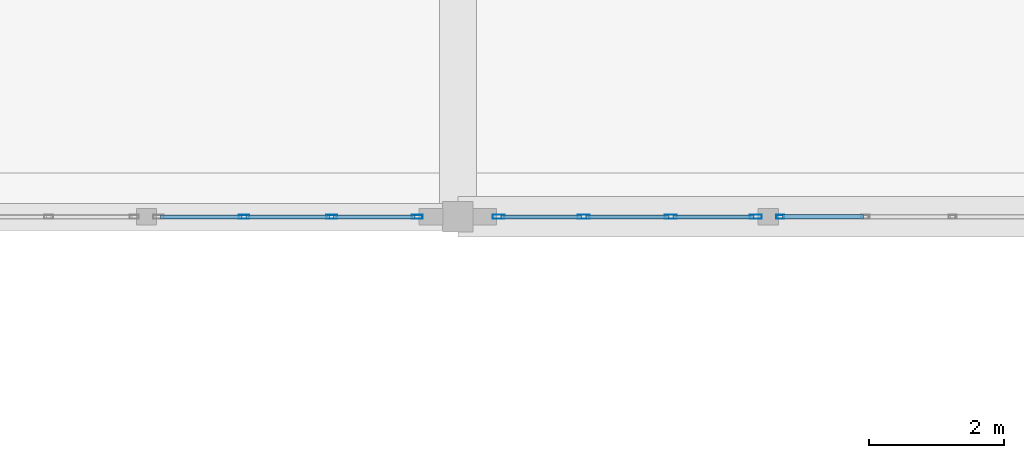
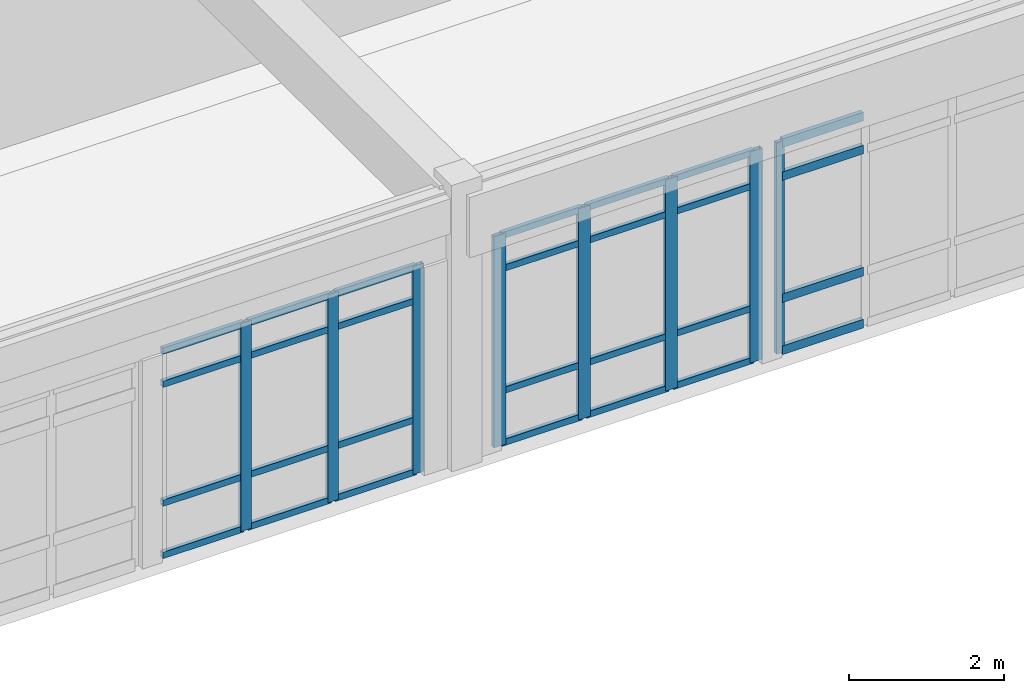
# One storey, part 47 of 109: 36 members, 3 elements without a shape of their own.
"""IFC4 building model written with IfcOpenShell, lengths in metres."""

from ifc_helpers import new_model, si_unit, direction, frame, origin, origin_2d, place, context, subcontext, project, spatial, hollow_rectangle, extrude, material, layer, layer_set, material_profile, profile_set, type_object, element, aggregate, save


model = new_model("IFC4")

# Units and contexts
model_context = context("Model", 3, precision=1e-05, world=origin(), true_north=direction((0.0, 1.0)))
body_context = subcontext(model_context, "Body", "Model", "MODEL_VIEW")
ifc_project = project(units=[si_unit("LENGTHUNIT", "METRE"), si_unit("AREAUNIT", "SQUARE_METRE"), si_unit("VOLUMEUNIT", "CUBIC_METRE"), si_unit("PLANEANGLEUNIT", "RADIAN"), si_unit("MASSUNIT", "GRAM", prefix="KILO")], contexts=[model_context])

# Site, building, storey
site_placement = place(None, origin())
site = spatial("IfcSite", under=ifc_project, at=site_placement, CompositionType="ELEMENT")
building_placement = place(site_placement, origin())
building = spatial("IfcBuilding", under=site, at=building_placement, Name="Fikremerkos Civic Library", CompositionType="ELEMENT")
storey_placement = place(building_placement, frame((0.0, 0.0, 5.39990234375)))
storey = spatial("IfcBuildingStorey", under=building, at=storey_placement, Name="L01", CompositionType="ELEMENT", Elevation=5.39990234375)

# Curtain wall, members
ifc_material = material(Name="Anodized aluminium Frame", Category="aluminium")
ifc_layer_1 = layer(ifc_material, 0.159912109375, Name="Anodized aluminium Frame")
ifc_layer_set_1 = layer_set([ifc_layer_1], Name="Anodized aluminium Frame")
curtain_wall_type_1 = type_object("IfcCurtainWallType", Name="Unitised curtain wall CW-13 3700x3200", PredefinedType="USERDEFINED", material=ifc_layer_set_1)
curtain_wall_1_placement = place(storey_placement, origin())
curtain_wall_1 = element("IfcCurtainWall", 1, at=curtain_wall_1_placement, inside=storey, type_object=curtain_wall_type_1, Name="Unitised curtain wall CW-13 L01 #121", ObjectType="UNITISED CURTAIN WALL", PredefinedType="USERDEFINED")
ifc_material_profile_1 = material_profile(ifc_material, hollow_rectangle(XDim=0.06494140625, YDim=0.179931640625, WallThickness=0.00439453125, at=origin_2d()), Name="ALU 180x65x4.5")
ifc_profile_set_1 = profile_set([ifc_material_profile_1], Name="Anodized aluminium Frame")
member_type_1 = type_object("IfcMemberType", Name="Curtain mullion CWM-01 ALU 180x65x4.5", PredefinedType="MULLION", material=ifc_profile_set_1)
member_1_placement = place(storey_placement, frame((104.616943359375, 96.0, 0.0), z_axis=(0.0, 0.0, 1.0), x_axis=(0.0, -1.0, 0.0)))
member_1 = element("IfcMember", 2, at=member_1_placement, type_object=member_type_1, Name="CW-13 mullion 1", PredefinedType="MULLION", context=body_context, shape_type="SweptSolid", body=[
    extrude(hollow_rectangle(XDim=0.06494140625, YDim=0.179931640625, WallThickness=0.00439453125, at=origin_2d()), origin(), (0.0, 0.0, 1.0), 3.320068359375),
])
member_2_placement = place(storey_placement, frame((103.357177734375, 96.0, 0.0), z_axis=(0.0, 0.0, 1.0), x_axis=(0.0, -1.0, 0.0)))
member_2 = element("IfcMember", 3, at=member_2_placement, type_object=member_type_1, Name="CW-13 mullion 2", PredefinedType="MULLION", context=body_context, shape_type="SweptSolid", body=[
    extrude(hollow_rectangle(XDim=0.06494140625, YDim=0.179931640625, WallThickness=0.00439453125, at=origin_2d()), origin(), (0.0, 0.0, 1.0), 3.320068359375),
])
member_3_placement = place(storey_placement, frame((102.065185546875, 96.0, 0.0), z_axis=(0.0, 0.0, 1.0), x_axis=(0.0, -1.0, 0.0)))
member_3 = element("IfcMember", 4, at=member_3_placement, type_object=member_type_1, Name="CW-13 mullion 3", PredefinedType="MULLION", context=body_context, shape_type="SweptSolid", body=[
    extrude(hollow_rectangle(XDim=0.06494140625, YDim=0.179931640625, WallThickness=0.00439453125, at=origin_2d()), origin(), (0.0, 0.0, 1.0), 3.320068359375),
])
member_4_placement = place(storey_placement, frame((100.805419921875, 96.0, 0.0), z_axis=(0.0, 0.0, 1.0), x_axis=(0.0, -1.0, 0.0)))
member_4 = element("IfcMember", 5, at=member_4_placement, type_object=member_type_1, Name="CW-13 mullion 4", PredefinedType="MULLION", context=body_context, shape_type="SweptSolid", body=[
    extrude(hollow_rectangle(XDim=0.06494140625, YDim=0.179931640625, WallThickness=0.00439453125, at=origin_2d()), origin(), (0.0, 0.0, 1.0), 3.320068359375),
])

ifc_layer_2 = layer(ifc_material, 0.159912109375, Name="Anodized aluminium Frame")
ifc_layer_set_2 = layer_set([ifc_layer_2], Name="Anodized aluminium Frame")
curtain_wall_type_2 = type_object("IfcCurtainWallType", Name="Unitised curtain wall CW-14 4100x3200", PredefinedType="USERDEFINED", material=ifc_layer_set_2)
curtain_wall_2_placement = place(storey_placement, origin())
curtain_wall_2 = element("IfcCurtainWall", 6, at=curtain_wall_2_placement, inside=storey, type_object=curtain_wall_type_2, Name="Unitised curtain wall CW-14 L01 #122", ObjectType="UNITISED CURTAIN WALL", PredefinedType="USERDEFINED")
ifc_material_profile_2 = material_profile(ifc_material, hollow_rectangle(XDim=0.06005859375, YDim=0.159912109375, WallThickness=0.00390625, at=origin_2d()), Name="ALU 160x60x4")
ifc_profile_set_2 = profile_set([ifc_material_profile_2], Name="Anodized aluminium Frame")
member_type_2 = type_object("IfcMemberType", Name="Curtain mullion CWM-02 ALU 160x60x4", PredefinedType="MULLION", material=ifc_profile_set_2)
member_5_placement = place(storey_placement, frame((99.596923828125, 96.0, 0.0), z_axis=(0.0, 0.0, 1.0), x_axis=(0.0, -1.0, 0.0)))
member_5 = element("IfcMember", 7, at=member_5_placement, type_object=member_type_2, Name="CW-14 mullion 1", PredefinedType="MULLION", context=body_context, shape_type="SweptSolid", body=[
    extrude(hollow_rectangle(XDim=0.06005859375, YDim=0.159912109375, WallThickness=0.00390625, at=origin_2d()), origin(), (0.0, 0.0, 1.0), 3.27001953125),
])
member_6_placement = place(storey_placement, frame((98.329345703125, 96.0, 0.0), z_axis=(0.0, 0.0, 1.0), x_axis=(0.0, -1.0, 0.0)))
member_6 = element("IfcMember", 8, at=member_6_placement, type_object=member_type_2, Name="CW-14 mullion 2", PredefinedType="MULLION", context=body_context, shape_type="SweptSolid", body=[
    extrude(hollow_rectangle(XDim=0.06005859375, YDim=0.159912109375, WallThickness=0.00390625, at=origin_2d()), origin(), (0.0, 0.0, 1.0), 3.27001953125),
])
member_7_placement = place(storey_placement, frame((97.03173828125, 96.0, 0.0), z_axis=(0.0, 0.0, 1.0), x_axis=(0.0, -1.0, 0.0)))
member_7 = element("IfcMember", 9, at=member_7_placement, type_object=member_type_2, Name="CW-14 mullion 3", PredefinedType="MULLION", context=body_context, shape_type="SweptSolid", body=[
    extrude(hollow_rectangle(XDim=0.06005859375, YDim=0.159912109375, WallThickness=0.00390625, at=origin_2d()), origin(), (0.0, 0.0, 1.0), 3.27001953125),
])

ifc_layer_3 = layer(ifc_material, 0.159912109375, Name="Anodized aluminium Frame")
ifc_layer_set_3 = layer_set([ifc_layer_3], Name="Anodized aluminium Frame")
curtain_wall_type_3 = type_object("IfcCurtainWallType", Name="Unitised curtain wall CW-12 4300x3400", PredefinedType="USERDEFINED", material=ifc_layer_set_3)
curtain_wall_3_placement = place(storey_placement, origin())
curtain_wall_3 = element("IfcCurtainWall", 10, at=curtain_wall_3_placement, inside=storey, type_object=curtain_wall_type_3, Name="Unitised curtain wall CW-12 L01 #120", ObjectType="UNITISED CURTAIN WALL", PredefinedType="USERDEFINED")
ifc_material_profile_3 = material_profile(ifc_material, hollow_rectangle(XDim=0.06005859375, YDim=0.1201171875, WallThickness=0.00390625, at=origin_2d()), Name="ALU 120x60x4")
ifc_profile_set_3 = profile_set([ifc_material_profile_3], Name="Anodized aluminium Frame")
member_type_3 = type_object("IfcMemberType", Name="Curtain mullion CWM-04 ALU 120x60x4", PredefinedType="MULLION", material=ifc_profile_set_3)
member_8_placement = place(storey_placement, frame((104.979248046875, 96.0, 0.0), z_axis=(0.0, 0.0, 1.0), x_axis=(0.0, -1.0, 0.0)))
member_8 = element("IfcMember", 11, at=member_8_placement, type_object=member_type_3, Name="CW-12 mullion 4", PredefinedType="MULLION", context=body_context, shape_type="SweptSolid", body=[
    extrude(hollow_rectangle(XDim=0.06005859375, YDim=0.1201171875, WallThickness=0.00390625, at=origin_2d()), origin(), (0.0, 0.0, 1.0), 3.320068359375),
])
ifc_material_profile_4 = material_profile(ifc_material, hollow_rectangle(XDim=0.06494140625, YDim=0.135009765625, WallThickness=0.00439453125, at=origin_2d()), Name="ALU 135x65x4.5")
ifc_profile_set_4 = profile_set([ifc_material_profile_4], Name="Anodized aluminium Frame")
member_type_4 = type_object("IfcMemberType", Name="Curtain transom CWT-02 ALU 135x65x4.5", PredefinedType="USERDEFINED", material=ifc_profile_set_4)
member_9_placement = place(storey_placement, frame((106.21142578125, 96.0, 0.03271484375), z_axis=(-1.0, 0.0, 0.0), x_axis=(0.0, -1.0, 0.0)))
member_9 = element("IfcMember", 12, at=member_9_placement, type_object=member_type_4, Name="CW-12 transom 3.1", ObjectType="TRANSOM", PredefinedType="USERDEFINED", context=body_context, shape_type="SweptSolid", body=[
    extrude(hollow_rectangle(XDim=0.06494140625, YDim=0.135009765625, WallThickness=0.00439453125, at=origin_2d()), origin(), (0.0, 0.0, 1.0), 1.2021484375),
])
member_10_placement = place(storey_placement, frame((106.21142578125, 96.0, 0.85009765625), z_axis=(-1.0, 0.0, 0.0), x_axis=(0.0, -1.0, 0.0)))
member_10 = element("IfcMember", 13, at=member_10_placement, type_object=member_type_4, Name="CW-12 transom 3.2", ObjectType="TRANSOM", PredefinedType="USERDEFINED", context=body_context, shape_type="SweptSolid", body=[
    extrude(hollow_rectangle(XDim=0.06494140625, YDim=0.135009765625, WallThickness=0.00439453125, at=origin_2d()), origin(), (0.0, 0.0, 1.0), 1.2021484375),
])
member_11_placement = place(storey_placement, frame((106.21142578125, 96.0, 2.77001953125), z_axis=(-1.0, 0.0, 0.0), x_axis=(0.0, -1.0, 0.0)))
member_11 = element("IfcMember", 14, at=member_11_placement, type_object=member_type_4, Name="CW-12 transom 3.3", ObjectType="TRANSOM", PredefinedType="USERDEFINED", context=body_context, shape_type="SweptSolid", body=[
    extrude(hollow_rectangle(XDim=0.06494140625, YDim=0.135009765625, WallThickness=0.00439453125, at=origin_2d()), origin(), (0.0, 0.0, 1.0), 1.2021484375),
])
member_12_placement = place(storey_placement, frame((106.21142578125, 96.0, 3.28759765625), z_axis=(-1.0, 0.0, 0.0), x_axis=(0.0, -1.0, 0.0)))
member_12 = element("IfcMember", 15, at=member_12_placement, type_object=member_type_4, Name="CW-12 transom 3.4", ObjectType="TRANSOM", PredefinedType="USERDEFINED", context=body_context, shape_type="SweptSolid", body=[
    extrude(hollow_rectangle(XDim=0.06494140625, YDim=0.135009765625, WallThickness=0.00439453125, at=origin_2d()), origin(), (0.0, 0.0, 1.0), 1.2021484375),
])
aggregate(curtain_wall_3, [member_8, member_9, member_10, member_11, member_12])

# Member
ifc_material_profile_5 = material_profile(ifc_material, hollow_rectangle(XDim=0.06005859375, YDim=0.10009765625, WallThickness=0.00390625, at=origin_2d()), Name="ALU 100x60x4")
ifc_profile_set_5 = profile_set([ifc_material_profile_5], Name="Anodized aluminium Frame")
member_type_5 = type_object("IfcMemberType", Name="Curtain transom CWT-03 ALU 100x60x4", PredefinedType="USERDEFINED", material=ifc_profile_set_5)
member_13_placement = place(storey_placement, frame((104.584228515625, 96.0, 0.030029296875), z_axis=(-1.0, 0.0, 0.0), x_axis=(0.0, -1.0, 0.0)))
member_13 = element("IfcMember", 16, at=member_13_placement, type_object=member_type_5, Name="CW-13 transom 1.1", ObjectType="TRANSOM", PredefinedType="USERDEFINED", context=body_context, shape_type="SweptSolid", body=[
    extrude(hollow_rectangle(XDim=0.06005859375, YDim=0.10009765625, WallThickness=0.00390625, at=origin_2d()), origin(), (0.0, 0.0, 1.0), 1.194580078125),
])

member_14_placement = place(storey_placement, frame((104.584228515625, 96.0, 0.85009765625), z_axis=(-1.0, 0.0, 0.0), x_axis=(0.0, -1.0, 0.0)))
member_14 = element("IfcMember", 17, at=member_14_placement, type_object=member_type_5, Name="CW-13 transom 1.2", ObjectType="TRANSOM", PredefinedType="USERDEFINED", context=body_context, shape_type="SweptSolid", body=[
    extrude(hollow_rectangle(XDim=0.06005859375, YDim=0.10009765625, WallThickness=0.00390625, at=origin_2d()), origin(), (0.0, 0.0, 1.0), 1.194580078125),
])

member_15_placement = place(storey_placement, frame((104.584228515625, 96.0, 2.77001953125), z_axis=(-1.0, 0.0, 0.0), x_axis=(0.0, -1.0, 0.0)))
member_15 = element("IfcMember", 18, at=member_15_placement, type_object=member_type_5, Name="CW-13 transom 1.3", ObjectType="TRANSOM", PredefinedType="USERDEFINED", context=body_context, shape_type="SweptSolid", body=[
    extrude(hollow_rectangle(XDim=0.06005859375, YDim=0.10009765625, WallThickness=0.00390625, at=origin_2d()), origin(), (0.0, 0.0, 1.0), 1.194580078125),
])

member_16_placement = place(storey_placement, frame((104.584228515625, 96.0, 3.2900390625), z_axis=(-1.0, 0.0, 0.0), x_axis=(0.0, -1.0, 0.0)))
member_16 = element("IfcMember", 19, at=member_16_placement, type_object=member_type_5, Name="CW-13 transom 1.4", ObjectType="TRANSOM", PredefinedType="USERDEFINED", context=body_context, shape_type="SweptSolid", body=[
    extrude(hollow_rectangle(XDim=0.06005859375, YDim=0.10009765625, WallThickness=0.00390625, at=origin_2d()), origin(), (0.0, 0.0, 1.0), 1.194580078125),
])

member_17_placement = place(storey_placement, frame((103.32470703125, 96.0, 0.030029296875), z_axis=(-1.0, 0.0, 0.0), x_axis=(0.0, -1.0, 0.0)))
member_17 = element("IfcMember", 20, at=member_17_placement, type_object=member_type_5, Name="CW-13 transom 2.1", ObjectType="TRANSOM", PredefinedType="USERDEFINED", context=body_context, shape_type="SweptSolid", body=[
    extrude(hollow_rectangle(XDim=0.06005859375, YDim=0.10009765625, WallThickness=0.00390625, at=origin_2d()), origin(), (0.0, 0.0, 1.0), 1.22705078125),
])

member_18_placement = place(storey_placement, frame((103.32470703125, 96.0, 0.85009765625), z_axis=(-1.0, 0.0, 0.0), x_axis=(0.0, -1.0, 0.0)))
member_18 = element("IfcMember", 21, at=member_18_placement, type_object=member_type_5, Name="CW-13 transom 2.2", ObjectType="TRANSOM", PredefinedType="USERDEFINED", context=body_context, shape_type="SweptSolid", body=[
    extrude(hollow_rectangle(XDim=0.06005859375, YDim=0.10009765625, WallThickness=0.00390625, at=origin_2d()), origin(), (0.0, 0.0, 1.0), 1.22705078125),
])

member_19_placement = place(storey_placement, frame((103.32470703125, 96.0, 2.77001953125), z_axis=(-1.0, 0.0, 0.0), x_axis=(0.0, -1.0, 0.0)))
member_19 = element("IfcMember", 22, at=member_19_placement, type_object=member_type_5, Name="CW-13 transom 2.3", ObjectType="TRANSOM", PredefinedType="USERDEFINED", context=body_context, shape_type="SweptSolid", body=[
    extrude(hollow_rectangle(XDim=0.06005859375, YDim=0.10009765625, WallThickness=0.00390625, at=origin_2d()), origin(), (0.0, 0.0, 1.0), 1.22705078125),
])

member_20_placement = place(storey_placement, frame((103.32470703125, 96.0, 3.2900390625), z_axis=(-1.0, 0.0, 0.0), x_axis=(0.0, -1.0, 0.0)))
member_20 = element("IfcMember", 23, at=member_20_placement, type_object=member_type_5, Name="CW-13 transom 2.4", ObjectType="TRANSOM", PredefinedType="USERDEFINED", context=body_context, shape_type="SweptSolid", body=[
    extrude(hollow_rectangle(XDim=0.06005859375, YDim=0.10009765625, WallThickness=0.00390625, at=origin_2d()), origin(), (0.0, 0.0, 1.0), 1.22705078125),
])

member_21_placement = place(storey_placement, frame((102.03271484375, 96.0, 0.030029296875), z_axis=(-1.0, 0.0, 0.0), x_axis=(0.0, -1.0, 0.0)))
member_21 = element("IfcMember", 24, at=member_21_placement, type_object=member_type_5, Name="CW-13 transom 3.1", ObjectType="TRANSOM", PredefinedType="USERDEFINED", context=body_context, shape_type="SweptSolid", body=[
    extrude(hollow_rectangle(XDim=0.06005859375, YDim=0.10009765625, WallThickness=0.00390625, at=origin_2d()), origin(), (0.0, 0.0, 1.0), 1.19482421875),
])

member_22_placement = place(storey_placement, frame((102.03271484375, 96.0, 0.85009765625), z_axis=(-1.0, 0.0, 0.0), x_axis=(0.0, -1.0, 0.0)))
member_22 = element("IfcMember", 25, at=member_22_placement, type_object=member_type_5, Name="CW-13 transom 3.2", ObjectType="TRANSOM", PredefinedType="USERDEFINED", context=body_context, shape_type="SweptSolid", body=[
    extrude(hollow_rectangle(XDim=0.06005859375, YDim=0.10009765625, WallThickness=0.00390625, at=origin_2d()), origin(), (0.0, 0.0, 1.0), 1.19482421875),
])

member_23_placement = place(storey_placement, frame((102.03271484375, 96.0, 2.77001953125), z_axis=(-1.0, 0.0, 0.0), x_axis=(0.0, -1.0, 0.0)))
member_23 = element("IfcMember", 26, at=member_23_placement, type_object=member_type_5, Name="CW-13 transom 3.3", ObjectType="TRANSOM", PredefinedType="USERDEFINED", context=body_context, shape_type="SweptSolid", body=[
    extrude(hollow_rectangle(XDim=0.06005859375, YDim=0.10009765625, WallThickness=0.00390625, at=origin_2d()), origin(), (0.0, 0.0, 1.0), 1.19482421875),
])

member_24_placement = place(storey_placement, frame((102.03271484375, 96.0, 3.2900390625), z_axis=(-1.0, 0.0, 0.0), x_axis=(0.0, -1.0, 0.0)))
member_24 = element("IfcMember", 27, at=member_24_placement, type_object=member_type_5, Name="CW-13 transom 3.4", ObjectType="TRANSOM", PredefinedType="USERDEFINED", context=body_context, shape_type="SweptSolid", body=[
    extrude(hollow_rectangle(XDim=0.06005859375, YDim=0.10009765625, WallThickness=0.00390625, at=origin_2d()), origin(), (0.0, 0.0, 1.0), 1.19482421875),
])

aggregate(curtain_wall_1, [member_1, member_2, member_3, member_4, member_13, member_14, member_15, member_16, member_17, member_18, member_19, member_20, member_21, member_22, member_23, member_24])

member_25_placement = place(storey_placement, frame((99.56689453125, 96.0, 0.030029296875), z_axis=(-1.0, 0.0, 0.0), x_axis=(0.0, -1.0, 0.0)))
member_25 = element("IfcMember", 28, at=member_25_placement, type_object=member_type_5, Name="CW-14 transom 1.1", ObjectType="TRANSOM", PredefinedType="USERDEFINED", context=body_context, shape_type="SweptSolid", body=[
    extrude(hollow_rectangle(XDim=0.06005859375, YDim=0.10009765625, WallThickness=0.00390625, at=origin_2d()), origin(), (0.0, 0.0, 1.0), 1.20751953125),
])

member_26_placement = place(storey_placement, frame((99.56689453125, 96.0, 0.85009765625), z_axis=(-1.0, 0.0, 0.0), x_axis=(0.0, -1.0, 0.0)))
member_26 = element("IfcMember", 29, at=member_26_placement, type_object=member_type_5, Name="CW-14 transom 1.2", ObjectType="TRANSOM", PredefinedType="USERDEFINED", context=body_context, shape_type="SweptSolid", body=[
    extrude(hollow_rectangle(XDim=0.06005859375, YDim=0.10009765625, WallThickness=0.00390625, at=origin_2d()), origin(), (0.0, 0.0, 1.0), 1.20751953125),
])

member_27_placement = place(storey_placement, frame((99.56689453125, 96.0, 2.72021484375), z_axis=(-1.0, 0.0, 0.0), x_axis=(0.0, -1.0, 0.0)))
member_27 = element("IfcMember", 30, at=member_27_placement, type_object=member_type_5, Name="CW-14 transom 1.3", ObjectType="TRANSOM", PredefinedType="USERDEFINED", context=body_context, shape_type="SweptSolid", body=[
    extrude(hollow_rectangle(XDim=0.06005859375, YDim=0.10009765625, WallThickness=0.00390625, at=origin_2d()), origin(), (0.0, 0.0, 1.0), 1.20751953125),
])

member_28_placement = place(storey_placement, frame((99.56689453125, 96.0, 3.239990234375), z_axis=(-1.0, 0.0, 0.0), x_axis=(0.0, -1.0, 0.0)))
member_28 = element("IfcMember", 31, at=member_28_placement, type_object=member_type_5, Name="CW-14 transom 1.4", ObjectType="TRANSOM", PredefinedType="USERDEFINED", context=body_context, shape_type="SweptSolid", body=[
    extrude(hollow_rectangle(XDim=0.06005859375, YDim=0.10009765625, WallThickness=0.00390625, at=origin_2d()), origin(), (0.0, 0.0, 1.0), 1.20751953125),
])

member_29_placement = place(storey_placement, frame((98.29931640625, 96.0, 0.030029296875), z_axis=(-1.0, 0.0, 0.0), x_axis=(0.0, -1.0, 0.0)))
member_29 = element("IfcMember", 32, at=member_29_placement, type_object=member_type_5, Name="CW-14 transom 2.1", ObjectType="TRANSOM", PredefinedType="USERDEFINED", context=body_context, shape_type="SweptSolid", body=[
    extrude(hollow_rectangle(XDim=0.06005859375, YDim=0.10009765625, WallThickness=0.00390625, at=origin_2d()), origin(), (0.0, 0.0, 1.0), 1.237548828125),
])

member_30_placement = place(storey_placement, frame((98.29931640625, 96.0, 0.85009765625), z_axis=(-1.0, 0.0, 0.0), x_axis=(0.0, -1.0, 0.0)))
member_30 = element("IfcMember", 33, at=member_30_placement, type_object=member_type_5, Name="CW-14 transom 2.2", ObjectType="TRANSOM", PredefinedType="USERDEFINED", context=body_context, shape_type="SweptSolid", body=[
    extrude(hollow_rectangle(XDim=0.06005859375, YDim=0.10009765625, WallThickness=0.00390625, at=origin_2d()), origin(), (0.0, 0.0, 1.0), 1.237548828125),
])

member_31_placement = place(storey_placement, frame((98.29931640625, 96.0, 2.72021484375), z_axis=(-1.0, 0.0, 0.0), x_axis=(0.0, -1.0, 0.0)))
member_31 = element("IfcMember", 34, at=member_31_placement, type_object=member_type_5, Name="CW-14 transom 2.3", ObjectType="TRANSOM", PredefinedType="USERDEFINED", context=body_context, shape_type="SweptSolid", body=[
    extrude(hollow_rectangle(XDim=0.06005859375, YDim=0.10009765625, WallThickness=0.00390625, at=origin_2d()), origin(), (0.0, 0.0, 1.0), 1.237548828125),
])

member_32_placement = place(storey_placement, frame((98.29931640625, 96.0, 3.239990234375), z_axis=(-1.0, 0.0, 0.0), x_axis=(0.0, -1.0, 0.0)))
member_32 = element("IfcMember", 35, at=member_32_placement, type_object=member_type_5, Name="CW-14 transom 2.4", ObjectType="TRANSOM", PredefinedType="USERDEFINED", context=body_context, shape_type="SweptSolid", body=[
    extrude(hollow_rectangle(XDim=0.06005859375, YDim=0.10009765625, WallThickness=0.00390625, at=origin_2d()), origin(), (0.0, 0.0, 1.0), 1.237548828125),
])

member_33_placement = place(storey_placement, frame((97.001708984375, 96.0, 0.030029296875), z_axis=(-1.0, 0.0, 0.0), x_axis=(0.0, -1.0, 0.0)))
member_33 = element("IfcMember", 36, at=member_33_placement, type_object=member_type_5, Name="CW-14 transom 3.1", ObjectType="TRANSOM", PredefinedType="USERDEFINED", context=body_context, shape_type="SweptSolid", body=[
    extrude(hollow_rectangle(XDim=0.06005859375, YDim=0.10009765625, WallThickness=0.00390625, at=origin_2d()), origin(), (0.0, 0.0, 1.0), 1.207763671875),
])

member_34_placement = place(storey_placement, frame((97.001708984375, 96.0, 0.85009765625), z_axis=(-1.0, 0.0, 0.0), x_axis=(0.0, -1.0, 0.0)))
member_34 = element("IfcMember", 37, at=member_34_placement, type_object=member_type_5, Name="CW-14 transom 3.2", ObjectType="TRANSOM", PredefinedType="USERDEFINED", context=body_context, shape_type="SweptSolid", body=[
    extrude(hollow_rectangle(XDim=0.06005859375, YDim=0.10009765625, WallThickness=0.00390625, at=origin_2d()), origin(), (0.0, 0.0, 1.0), 1.207763671875),
])

member_35_placement = place(storey_placement, frame((97.001708984375, 96.0, 2.72021484375), z_axis=(-1.0, 0.0, 0.0), x_axis=(0.0, -1.0, 0.0)))
member_35 = element("IfcMember", 38, at=member_35_placement, type_object=member_type_5, Name="CW-14 transom 3.3", ObjectType="TRANSOM", PredefinedType="USERDEFINED", context=body_context, shape_type="SweptSolid", body=[
    extrude(hollow_rectangle(XDim=0.06005859375, YDim=0.10009765625, WallThickness=0.00390625, at=origin_2d()), origin(), (0.0, 0.0, 1.0), 1.207763671875),
])

member_36_placement = place(storey_placement, frame((97.001708984375, 96.0, 3.239990234375), z_axis=(-1.0, 0.0, 0.0), x_axis=(0.0, -1.0, 0.0)))
member_36 = element("IfcMember", 39, at=member_36_placement, type_object=member_type_5, Name="CW-14 transom 3.4", ObjectType="TRANSOM", PredefinedType="USERDEFINED", context=body_context, shape_type="SweptSolid", body=[
    extrude(hollow_rectangle(XDim=0.06005859375, YDim=0.10009765625, WallThickness=0.00390625, at=origin_2d()), origin(), (0.0, 0.0, 1.0), 1.207763671875),
])

aggregate(curtain_wall_2, [member_5, member_6, member_7, member_25, member_26, member_27, member_28, member_29, member_30, member_31, member_32, member_33, member_34, member_35, member_36])

save(model, "model.ifc")
